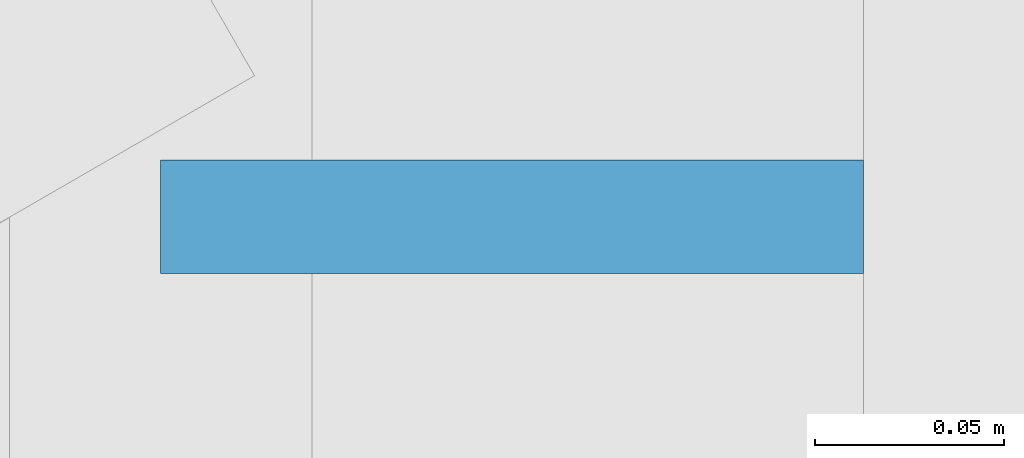
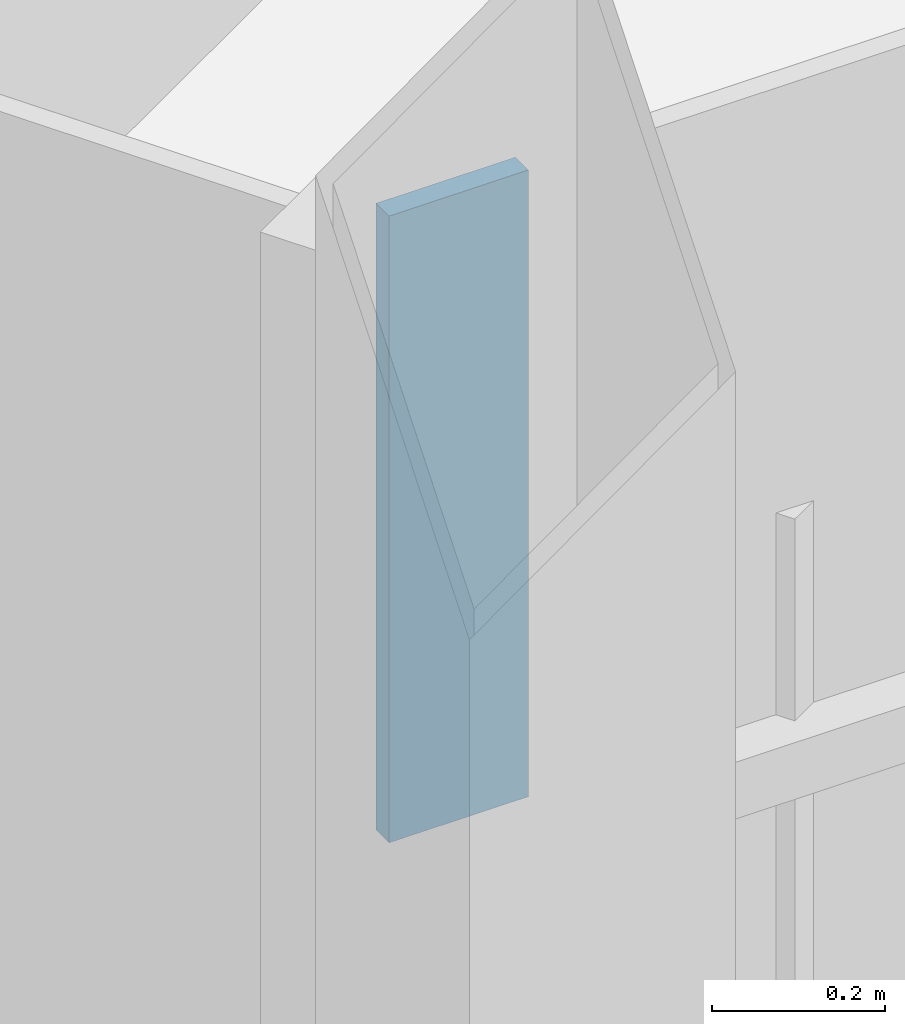
# One storey, part 16 of 23: 1 plate, 1 element without a shape of its own.
"""IFC4 building model written with IfcOpenShell, lengths in metres."""

from ifc_helpers import new_model, si_unit, direction, frame, origin, place, context, subcontext, project, spatial, polyline, outline, extrude, material, layer, layer_set, type_object, element, aggregate, save


model = new_model("IFC4")

# Units and contexts
model_context = context("Model", 3, precision=1e-05, world=origin(), true_north=direction((0.0, 1.0)))
body_context = subcontext(model_context, "Body", "Model", "MODEL_VIEW")
ifc_project = project(units=[si_unit("LENGTHUNIT", "METRE"), si_unit("AREAUNIT", "SQUARE_METRE"), si_unit("VOLUMEUNIT", "CUBIC_METRE"), si_unit("PLANEANGLEUNIT", "RADIAN"), si_unit("MASSUNIT", "GRAM", prefix="KILO")], contexts=[model_context])

# Site, building, storey
site_placement = place(None, origin())
site = spatial("IfcSite", under=ifc_project, at=site_placement, CompositionType="ELEMENT")
building_placement = place(site_placement, origin())
building = spatial("IfcBuilding", under=site, at=building_placement, Name="Firuza Gate Tower and Library", CompositionType="ELEMENT")
storey_placement = place(building_placement, frame((0.0, 0.0, 302.10009765625)))
storey = spatial("IfcBuildingStorey", under=building, at=storey_placement, Name="L73", CompositionType="ELEMENT", Elevation=302.10009765625)

# Curtain wall, plate
ifc_material_1 = material(Name="Aluminium 6063-T6", Category="aluminium")
ifc_layer_1 = layer(ifc_material_1, 0.14990234375)
ifc_layer_set_1 = layer_set([ifc_layer_1], Name="Unitised curtain wall, residences")
curtain_wall_type = type_object("IfcCurtainWallType", Name="Unitised curtain wall, residences", PredefinedType="NOTDEFINED", material=ifc_layer_set_1)
curtain_wall_placement = place(storey_placement, origin())
curtain_wall = element("IfcCurtainWall", 1, at=curtain_wall_placement, inside=storey, type_object=curtain_wall_type, Name="CW3 L73 S face", PredefinedType="NOTDEFINED")
ifc_material_2 = material(Name="Glazed ceramic tile")
ifc_layer_2 = layer(ifc_material_2, 0.030029296875)
ifc_layer_set_2 = layer_set([ifc_layer_2], Name="Opaque ceramic panel, residences")
plate_type = type_object("IfcPlateType", Name="Opaque ceramic panel, residences", PredefinedType="CURTAIN_PANEL", material=ifc_layer_set_2)
plate_placement = place(storey_placement, frame((53.66064453125, 58.434814453125, 2.414794921875), z_axis=(0.0, -1.0, 0.0), x_axis=(1.0, 0.0, 0.0)))
plate = element("IfcPlate", 2, at=plate_placement, type_object=plate_type, Name="Opaque ceramic panel", PredefinedType="CURTAIN_PANEL", context=body_context, shape_type="SweptSolid", body=[
    extrude(outline(polyline([(0.0, 0.0), (0.18603515625, 0.0), (0.18603515625, 0.885009765625), (0.0, 0.885009765625), (0.0, 0.0)])), origin(), (0.0, 0.0, -1.0), 0.030029296875),
])
aggregate(curtain_wall, [plate])

save(model, "model.ifc")
